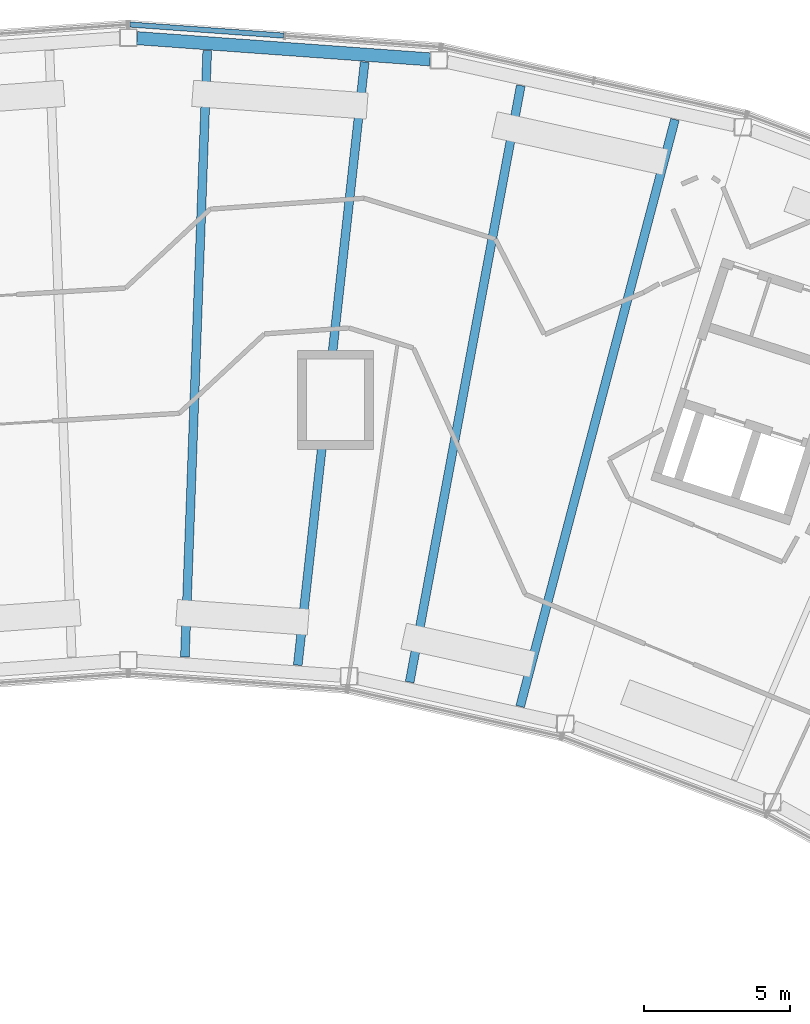
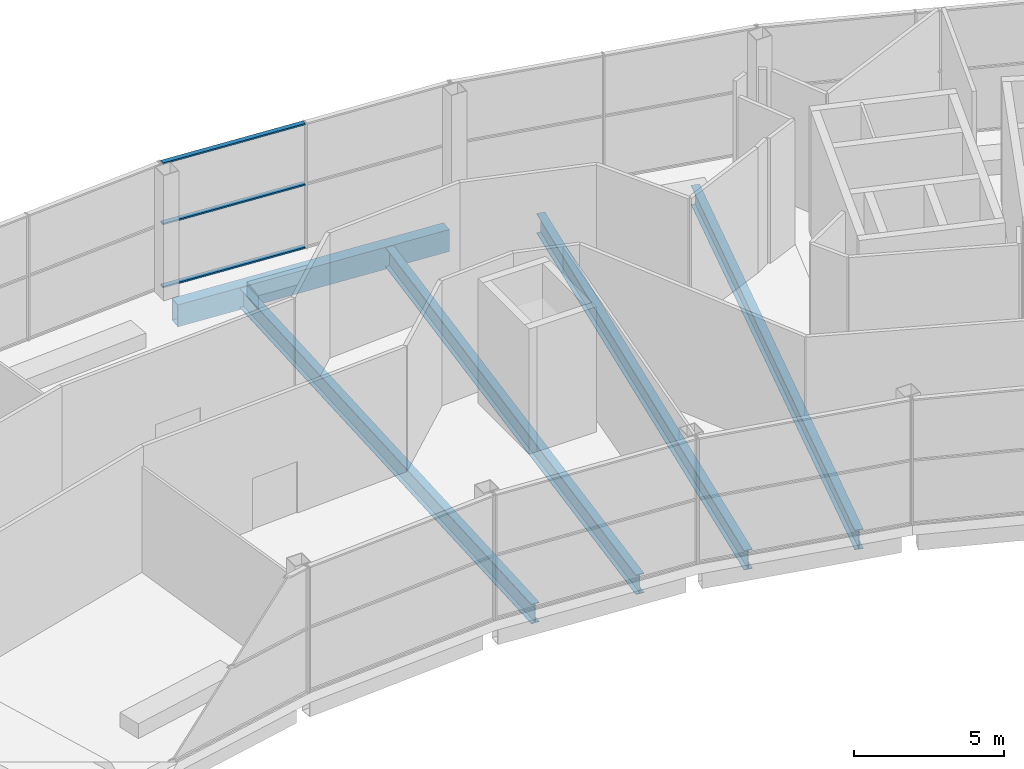
# One storey, part 28 of 43: 5 beams, 3 members, 1 element without a shape of its own.
"""IFC4 building model written with IfcOpenShell, lengths in metres."""

from ifc_helpers import new_model, si_unit, direction, frame, origin, origin_2d, place, context, subcontext, project, spatial, hollow_rectangle, i_section, extrude, material, layer, layer_set, material_profile, profile_set, type_object, element, aggregate, save


model = new_model("IFC4")

# Units and contexts
model_context = context("Model", 3, precision=1e-05, world=origin(), true_north=direction((0.0, 1.0)))
body_context = subcontext(model_context, "Body", "Model", "MODEL_VIEW")
ifc_project = project(units=[si_unit("LENGTHUNIT", "METRE"), si_unit("AREAUNIT", "SQUARE_METRE"), si_unit("VOLUMEUNIT", "CUBIC_METRE"), si_unit("PLANEANGLEUNIT", "RADIAN"), si_unit("MASSUNIT", "GRAM", prefix="KILO")], contexts=[model_context])

# Site, building, storey
site_placement = place(None, origin())
site = spatial("IfcSite", under=ifc_project, at=site_placement, CompositionType="ELEMENT")
building_placement = place(site_placement, origin())
building = spatial("IfcBuilding", under=site, at=building_placement, Name="Tuul Gate Civic Tower", CompositionType="ELEMENT")
storey_placement = place(building_placement, frame((0.0, 0.0, 349.10009765625)))
storey = spatial("IfcBuildingStorey", under=building, at=storey_placement, Name="Observation level 1", CompositionType="ELEMENT", Elevation=349.10009765625)

# Curtain wall, members
ifc_material_1 = material(Name="Stainless steel", Category="steel")
ifc_layer = layer(ifc_material_1, 0.199951171875)
ifc_layer_set = layer_set([ifc_layer], Name="Stainless steel")
curtain_wall_type = type_object("IfcCurtainWallType", Name="Curtain wall CW4", PredefinedType="NOTDEFINED", material=ifc_layer_set)
curtain_wall_placement = place(storey_placement, origin())
curtain_wall = element("IfcCurtainWall", 1, at=curtain_wall_placement, inside=storey, type_object=curtain_wall_type, Name="Curtain wall CW4", PredefinedType="NOTDEFINED")
ifc_material_2 = material(Name="Stainless steel", Category="steel")
ifc_material_profile_1 = material_profile(ifc_material_2, hollow_rectangle(XDim=0.179931640625, YDim=0.06005859375, WallThickness=0.006103515625, at=origin_2d()), Name="CW4 transom")
ifc_profile_set_1 = profile_set([ifc_material_profile_1], Name="Stainless steel")
member_type = type_object("IfcMemberType", Name="CW4 transom", PredefinedType="USERDEFINED", material=ifc_profile_set_1)
member_1_placement = place(storey_placement, frame((7.51904296875, 13.89306640625, 0.02978515625), z_axis=(-0.997385906721, 0.072258930759, 0.0), x_axis=(-0.072258930759, -0.997385906721, 0.0)))
member_1 = element("IfcMember", 2, at=member_1_placement, type_object=member_type, Name="Transom", ObjectType="TRANSOM", PredefinedType="USERDEFINED", context=body_context, shape_type="SweptSolid", body=[
    extrude(hollow_rectangle(XDim=0.179931640625, YDim=0.06005859375, WallThickness=0.006103515625, at=origin_2d()), origin(), (0.0, 0.0, 1.0), 5.281005859375),
])
member_2_placement = place(storey_placement, frame((7.51904296875, 13.89306640625, 2.599853515625), z_axis=(-0.997385906721, 0.072258930759, 0.0), x_axis=(-0.072258930759, -0.997385906721, 0.0)))
member_2 = element("IfcMember", 3, at=member_2_placement, type_object=member_type, Name="Transom", ObjectType="TRANSOM", PredefinedType="USERDEFINED", context=body_context, shape_type="SweptSolid", body=[
    extrude(hollow_rectangle(XDim=0.179931640625, YDim=0.06005859375, WallThickness=0.006103515625, at=origin_2d()), origin(), (0.0, 0.0, 1.0), 5.281005859375),
])
member_3_placement = place(storey_placement, frame((7.51904296875, 13.89306640625, 5.06982421875), z_axis=(-0.997385906721, 0.072258930759, 0.0), x_axis=(-0.072258930759, -0.997385906721, 0.0)))
member_3 = element("IfcMember", 4, at=member_3_placement, type_object=member_type, Name="Transom", ObjectType="TRANSOM", PredefinedType="USERDEFINED", context=body_context, shape_type="SweptSolid", body=[
    extrude(hollow_rectangle(XDim=0.179931640625, YDim=0.06005859375, WallThickness=0.006103515625, at=origin_2d()), origin(), (0.0, 0.0, 1.0), 5.281005859375),
])
aggregate(curtain_wall, [member_1, member_2, member_3])

# Beams
ifc_material_3 = material(Name="Steel S355", Category="steel")
ifc_material_profile_2 = material_profile(ifc_material_3, i_section(OverallWidth=0.300048828125, OverallDepth=0.800048828125, WebThickness=0.013916015625, FlangeThickness=0.02490234375, at=origin_2d()), Name="PG800x300x14x25")
ifc_profile_set_2 = profile_set([ifc_material_profile_2], Name="Steel S355")
beam_type_1 = type_object("IfcBeamType", Name="STR-FLOOR BEAM-PG800x300x14x25", PredefinedType="BEAM", material=ifc_profile_set_2)
beam_1_placement = place(storey_placement, frame((15.630615234375, -9.11328125, -0.800048828125), z_axis=(0.255002430405, 0.966940412067, 0.0), x_axis=(-0.966940412067, 0.255002430405, 0.0)))
element("IfcBeam", 5, at=beam_1_placement, inside=storey, type_object=beam_type_1, Name="Floor beam", PredefinedType="BEAM", context=body_context, shape_type="SweptSolid", body=[
    extrude(i_section(OverallWidth=0.300048828125, OverallDepth=0.800048828125, WebThickness=0.013916015625, FlangeThickness=0.02490234375, at=origin_2d()), origin(), (0.0, 0.0, 1.0), 20.81689453125),
])
beam_2_placement = place(storey_placement, frame((11.84033203125, -8.2783203125, -0.800048828125), z_axis=(0.183149454547, 0.983085081414, 0.0), x_axis=(-0.983085081414, 0.183149454547, 0.0)))
element("IfcBeam", 6, at=beam_2_placement, inside=storey, type_object=beam_type_1, Name="Floor beam", PredefinedType="BEAM", context=body_context, shape_type="SweptSolid", body=[
    extrude(i_section(OverallWidth=0.300048828125, OverallDepth=0.800048828125, WebThickness=0.013916015625, FlangeThickness=0.02490234375, at=origin_2d()), origin(), (0.0, 0.0, 1.0), 20.81103515625),
])
beam_3_placement = place(storey_placement, frame((8.003173828125, -7.69873046875, -0.800048828125), z_axis=(0.110286058964, 0.993899886909, 0.0), x_axis=(-0.993899886909, 0.110286058964, 0.0)))
element("IfcBeam", 7, at=beam_3_placement, inside=storey, type_object=beam_type_1, Name="Floor beam", PredefinedType="BEAM", context=body_context, shape_type="SweptSolid", body=[
    extrude(i_section(OverallWidth=0.300048828125, OverallDepth=0.800048828125, WebThickness=0.013916015625, FlangeThickness=0.02490234375, at=origin_2d()), origin(), (0.0, 0.0, 1.0), 20.8154296875),
])
beam_4_placement = place(storey_placement, frame((4.13232421875, -7.41796875, -0.800048828125), z_axis=(0.036832478792, 0.999321454041, 0.0), x_axis=(-0.999321454041, 0.036832478792, 0.0)))
element("IfcBeam", 8, at=beam_4_placement, inside=storey, type_object=beam_type_1, Name="Floor beam", PredefinedType="BEAM", context=body_context, shape_type="SweptSolid", body=[
    extrude(i_section(OverallWidth=0.300048828125, OverallDepth=0.800048828125, WebThickness=0.013916015625, FlangeThickness=0.02490234375, at=origin_2d()), origin(), (0.0, 0.0, 1.0), 20.813232421875),
])
ifc_material_4 = material(Name="Steel S355", Category="steel")
ifc_material_profile_3 = material_profile(ifc_material_4, hollow_rectangle(XDim=0.449951171875, YDim=0.89990234375, WallThickness=0.02490234375, at=origin_2d()), Name="BOX900x450x25")
ifc_profile_set_3 = profile_set([ifc_material_profile_3], Name="Steel S355")
beam_type_2 = type_object("IfcBeamType", Name="STR-SPANDREL BEAM-BOX900x450x25", PredefinedType="BEAM", material=ifc_profile_set_3)
beam_5_placement = place(storey_placement, frame((12.541748046875, 13.07763671875, -0.85009765625), z_axis=(-0.997381504519, 0.072319668448, 0.0), x_axis=(-0.072319668448, -0.997381504519, 0.0)))
element("IfcBeam", 9, at=beam_5_placement, inside=storey, type_object=beam_type_2, Name="Spandrel beam", PredefinedType="BEAM", context=body_context, shape_type="SweptSolid", body=[
    extrude(hollow_rectangle(XDim=0.449951171875, YDim=0.89990234375, WallThickness=0.02490234375, at=origin_2d()), origin(), (0.0, 0.0, 1.0), 10.076904296875),
])

save(model, "model.ifc")
